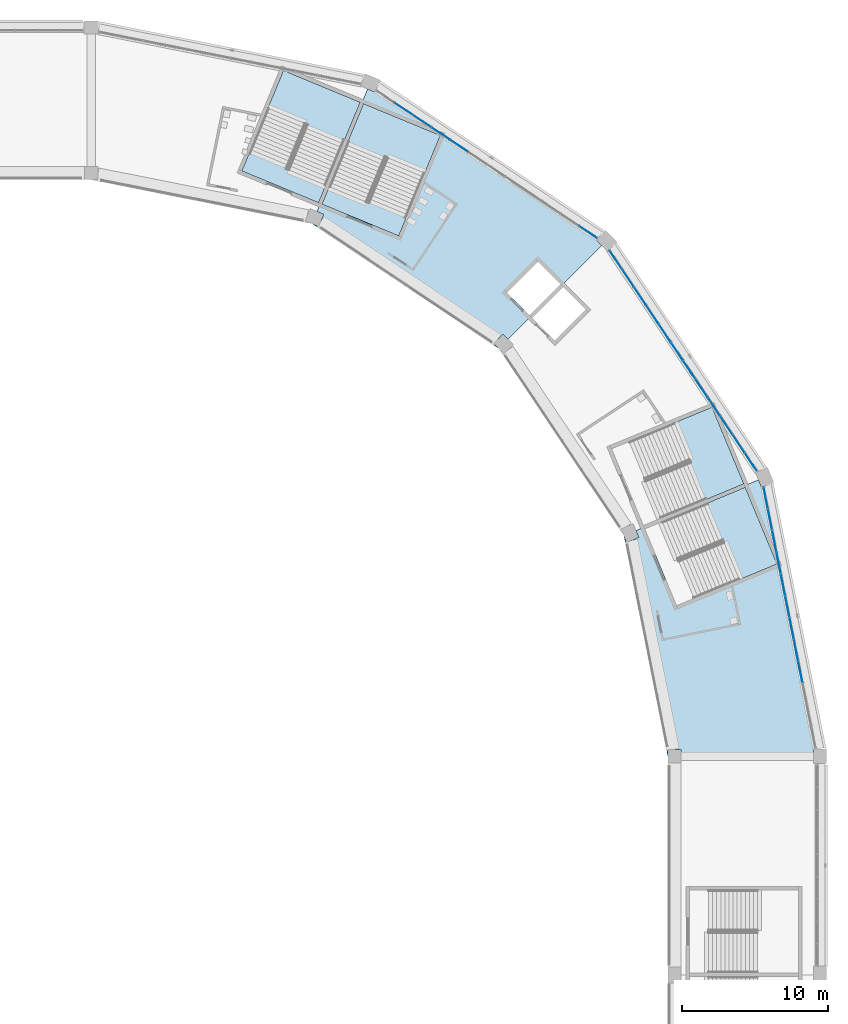
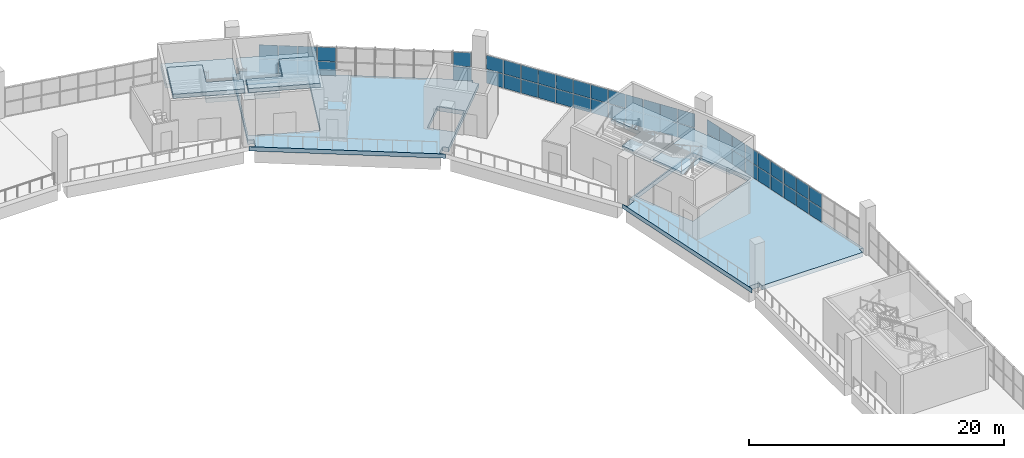
# One storey, part 58 of 177: 52 plates, 8 slabs, 7 elements without a shape of their own.
"""IFC4 building model written with IfcOpenShell, lengths in metres."""

from ifc_helpers import new_model, si_unit, direction, frame, origin, origin_2d, place, context, subcontext, project, spatial, polyline, rectangle, outline, extrude, material, layer, layer_set, type_object, element, aggregate, save


model = new_model("IFC4")

# Units and contexts
model_context = context("Model", 3, precision=1e-05, world=origin(), true_north=direction((0.0, 1.0)))
body_context = subcontext(model_context, "Body", "Model", "MODEL_VIEW")
ifc_project = project(units=[si_unit("LENGTHUNIT", "METRE"), si_unit("AREAUNIT", "SQUARE_METRE"), si_unit("VOLUMEUNIT", "CUBIC_METRE"), si_unit("PLANEANGLEUNIT", "RADIAN"), si_unit("MASSUNIT", "GRAM", prefix="KILO")], contexts=[model_context])

# Site, building, storey
site_placement = place(None, origin())
site = spatial("IfcSite", under=ifc_project, at=site_placement, CompositionType="ELEMENT")
building_placement = place(site_placement, origin())
building = spatial("IfcBuilding", under=site, at=building_placement, Name="Ogive Plaza Stadium", CompositionType="ELEMENT")
storey_placement = place(building_placement, frame((0.0, 0.0, 18.0)))
storey = spatial("IfcBuildingStorey", under=building, at=storey_placement, Name="L04", CompositionType="ELEMENT", Elevation=18.0)

# Curtain wall, plates
ifc_material_1 = material(Name="Bronze-anodised aluminium with laminated glass", Category="aluminium")
curtain_wall_type = type_object("IfcCurtainWallType", Name="Lancet curtain wall", PredefinedType="NOTDEFINED", material=ifc_material_1)
curtain_wall_1_placement = place(storey_placement, origin())
curtain_wall_1 = element("IfcCurtainWall", 1, at=curtain_wall_1_placement, inside=storey, type_object=curtain_wall_type, Name="CURTAIN WALL B38 L04", PredefinedType="NOTDEFINED")
ifc_material_2 = material(Name="Laminated glass", Category="glass")
ifc_layer_1 = layer(ifc_material_2, 0.028076171875)
ifc_layer_set_1 = layer_set([ifc_layer_1], Name="Laminated glass panel 28")
plate_type = type_object("IfcPlateType", Name="Laminated glass panel 28", PredefinedType="CURTAIN_PANEL", material=ifc_layer_set_1)
plate_1_placement = place(storey_placement, frame((55.4375, 96.914306640625, 0.0498046875), z_axis=(0.0, 0.0, 1.0), x_axis=(0.831469612303, -0.55557023302, 0.0)))
plate_1 = element("IfcPlate", 2, at=plate_1_placement, type_object=plate_type, Name="CW-B38-L04 panel 2.1", PredefinedType="CURTAIN_PANEL", context=body_context, shape_type="SweptSolid", body=[
    extrude(rectangle(XDim=1.472412109375, YDim=0.028076171875, at=origin_2d()), origin(), (0.0, 0.0, 1.0), 1.320068359375),
])
plate_2_placement = place(storey_placement, frame((55.4375, 96.914306640625, 1.419921875), z_axis=(0.0, 0.0, 1.0), x_axis=(0.831469612303, -0.55557023302, 0.0)))
plate_2 = element("IfcPlate", 3, at=plate_2_placement, type_object=plate_type, Name="CW-B38-L04 panel 2.2", PredefinedType="CURTAIN_PANEL", context=body_context, shape_type="SweptSolid", body=[
    extrude(rectangle(XDim=1.472412109375, YDim=0.028076171875, at=origin_2d()), origin(), (0.0, 0.0, 1.0), 1.320068359375),
])
plate_3_placement = place(storey_placement, frame((56.703369140625, 96.068603515625, 0.0498046875), z_axis=(0.0, 0.0, 1.0), x_axis=(0.831469612303, -0.55557023302, 0.0)))
plate_3 = element("IfcPlate", 4, at=plate_3_placement, type_object=plate_type, Name="CW-B38-L04 panel 3.1", PredefinedType="CURTAIN_PANEL", context=body_context, shape_type="SweptSolid", body=[
    extrude(rectangle(XDim=1.472412109375, YDim=0.028076171875, at=origin_2d()), origin(), (0.0, 0.0, 1.0), 1.320068359375),
])
plate_4_placement = place(storey_placement, frame((56.703369140625, 96.068603515625, 1.419921875), z_axis=(0.0, 0.0, 1.0), x_axis=(0.831469612303, -0.55557023302, 0.0)))
plate_4 = element("IfcPlate", 5, at=plate_4_placement, type_object=plate_type, Name="CW-B38-L04 panel 3.2", PredefinedType="CURTAIN_PANEL", context=body_context, shape_type="SweptSolid", body=[
    extrude(rectangle(XDim=1.472412109375, YDim=0.028076171875, at=origin_2d()), origin(), (0.0, 0.0, 1.0), 1.320068359375),
])
plate_5_placement = place(storey_placement, frame((57.96923828125, 95.222900390625, 0.0498046875), z_axis=(0.0, 0.0, 1.0), x_axis=(0.831469612303, -0.55557023302, 0.0)))
plate_5 = element("IfcPlate", 6, at=plate_5_placement, type_object=plate_type, Name="CW-B38-L04 panel 4.1", PredefinedType="CURTAIN_PANEL", context=body_context, shape_type="SweptSolid", body=[
    extrude(rectangle(XDim=1.472412109375, YDim=0.028076171875, at=origin_2d()), origin(), (0.0, 0.0, 1.0), 1.320068359375),
])
plate_6_placement = place(storey_placement, frame((57.96923828125, 95.222900390625, 1.419921875), z_axis=(0.0, 0.0, 1.0), x_axis=(0.831469612303, -0.55557023302, 0.0)))
plate_6 = element("IfcPlate", 7, at=plate_6_placement, type_object=plate_type, Name="CW-B38-L04 panel 4.2", PredefinedType="CURTAIN_PANEL", context=body_context, shape_type="SweptSolid", body=[
    extrude(rectangle(XDim=1.472412109375, YDim=0.028076171875, at=origin_2d()), origin(), (0.0, 0.0, 1.0), 1.320068359375),
])
plate_7_placement = place(storey_placement, frame((59.23486328125, 94.376953125, 0.0498046875), z_axis=(0.0, 0.0, 1.0), x_axis=(0.831469612303, -0.55557023302, 0.0)))
plate_7 = element("IfcPlate", 8, at=plate_7_placement, type_object=plate_type, Name="CW-B38-L04 panel 5.1", PredefinedType="CURTAIN_PANEL", context=body_context, shape_type="SweptSolid", body=[
    extrude(rectangle(XDim=1.472412109375, YDim=0.028076171875, at=origin_2d()), origin(), (0.0, 0.0, 1.0), 1.320068359375),
])
plate_8_placement = place(storey_placement, frame((59.23486328125, 94.376953125, 1.419921875), z_axis=(0.0, 0.0, 1.0), x_axis=(0.831469612303, -0.55557023302, 0.0)))
plate_8 = element("IfcPlate", 9, at=plate_8_placement, type_object=plate_type, Name="CW-B38-L04 panel 5.2", PredefinedType="CURTAIN_PANEL", context=body_context, shape_type="SweptSolid", body=[
    extrude(rectangle(XDim=1.472412109375, YDim=0.028076171875, at=origin_2d()), origin(), (0.0, 0.0, 1.0), 1.320068359375),
])
plate_9_placement = place(storey_placement, frame((68.0849609375, 88.463623046875, 0.0498046875), z_axis=(0.0, 0.0, 1.0), x_axis=(0.831469612303, -0.55557023302, 0.0)))
plate_9 = element("IfcPlate", 10, at=plate_9_placement, type_object=plate_type, Name="CW-B38-L04 panel 12.1", PredefinedType="CURTAIN_PANEL", context=body_context, shape_type="SweptSolid", body=[
    extrude(rectangle(XDim=1.447265625, YDim=0.028076171875, at=origin_2d()), origin(), (0.0, 0.0, 1.0), 1.320068359375),
])
plate_10_placement = place(storey_placement, frame((68.0849609375, 88.463623046875, 1.419921875), z_axis=(0.0, 0.0, 1.0), x_axis=(0.831469612303, -0.55557023302, 0.0)))
plate_10 = element("IfcPlate", 11, at=plate_10_placement, type_object=plate_type, Name="CW-B38-L04 panel 12.2", PredefinedType="CURTAIN_PANEL", context=body_context, shape_type="SweptSolid", body=[
    extrude(rectangle(XDim=1.447265625, YDim=0.028076171875, at=origin_2d()), origin(), (0.0, 0.0, 1.0), 1.320068359375),
])
aggregate(curtain_wall_1, [plate_1, plate_2, plate_3, plate_4, plate_5, plate_6, plate_7, plate_8, plate_9, plate_10])

curtain_wall_2_placement = place(storey_placement, origin())
curtain_wall_2 = element("IfcCurtainWall", 12, at=curtain_wall_2_placement, inside=storey, type_object=curtain_wall_type, Name="CURTAIN WALL B39 L04", PredefinedType="NOTDEFINED")
plate_11_placement = place(storey_placement, frame((69.963623046875, 86.5849609375, 0.0498046875), z_axis=(0.0, 0.0, 1.0), x_axis=(0.55557023302, -0.831469612303, 0.0)))
plate_11 = element("IfcPlate", 13, at=plate_11_placement, type_object=plate_type, Name="CW-B39-L04 panel 1.1", PredefinedType="CURTAIN_PANEL", context=body_context, shape_type="SweptSolid", body=[
    extrude(rectangle(XDim=1.447265625, YDim=0.028076171875, at=origin_2d()), origin(), (0.0, 0.0, 1.0), 1.320068359375),
])
plate_12_placement = place(storey_placement, frame((69.963623046875, 86.5849609375, 1.419921875), z_axis=(0.0, 0.0, 1.0), x_axis=(0.55557023302, -0.831469612303, 0.0)))
plate_12 = element("IfcPlate", 14, at=plate_12_placement, type_object=plate_type, Name="CW-B39-L04 panel 1.2", PredefinedType="CURTAIN_PANEL", context=body_context, shape_type="SweptSolid", body=[
    extrude(rectangle(XDim=1.447265625, YDim=0.028076171875, at=origin_2d()), origin(), (0.0, 0.0, 1.0), 1.320068359375),
])
plate_13_placement = place(storey_placement, frame((70.802490234375, 85.32958984375, 0.0498046875), z_axis=(0.0, 0.0, 1.0), x_axis=(0.55557023302, -0.831469612303, 0.0)))
plate_13 = element("IfcPlate", 15, at=plate_13_placement, type_object=plate_type, Name="CW-B39-L04 panel 2.1", PredefinedType="CURTAIN_PANEL", context=body_context, shape_type="SweptSolid", body=[
    extrude(rectangle(XDim=1.472412109375, YDim=0.028076171875, at=origin_2d()), origin(), (0.0, 0.0, 1.0), 1.320068359375),
])
plate_14_placement = place(storey_placement, frame((70.802490234375, 85.32958984375, 1.419921875), z_axis=(0.0, 0.0, 1.0), x_axis=(0.55557023302, -0.831469612303, 0.0)))
plate_14 = element("IfcPlate", 16, at=plate_14_placement, type_object=plate_type, Name="CW-B39-L04 panel 2.2", PredefinedType="CURTAIN_PANEL", context=body_context, shape_type="SweptSolid", body=[
    extrude(rectangle(XDim=1.472412109375, YDim=0.028076171875, at=origin_2d()), origin(), (0.0, 0.0, 1.0), 1.320068359375),
])
plate_15_placement = place(storey_placement, frame((71.648193359375, 84.06396484375, 0.0498046875), z_axis=(0.0, 0.0, 1.0), x_axis=(0.55557023302, -0.831469612303, 0.0)))
plate_15 = element("IfcPlate", 17, at=plate_15_placement, type_object=plate_type, Name="CW-B39-L04 panel 3.1", PredefinedType="CURTAIN_PANEL", context=body_context, shape_type="SweptSolid", body=[
    extrude(rectangle(XDim=1.472412109375, YDim=0.028076171875, at=origin_2d()), origin(), (0.0, 0.0, 1.0), 1.320068359375),
])
plate_16_placement = place(storey_placement, frame((71.648193359375, 84.06396484375, 1.419921875), z_axis=(0.0, 0.0, 1.0), x_axis=(0.55557023302, -0.831469612303, 0.0)))
plate_16 = element("IfcPlate", 18, at=plate_16_placement, type_object=plate_type, Name="CW-B39-L04 panel 3.2", PredefinedType="CURTAIN_PANEL", context=body_context, shape_type="SweptSolid", body=[
    extrude(rectangle(XDim=1.472412109375, YDim=0.028076171875, at=origin_2d()), origin(), (0.0, 0.0, 1.0), 1.320068359375),
])
plate_17_placement = place(storey_placement, frame((72.493896484375, 82.798095703125, 0.0498046875), z_axis=(0.0, 0.0, 1.0), x_axis=(0.55557023302, -0.831469612303, 0.0)))
plate_17 = element("IfcPlate", 19, at=plate_17_placement, type_object=plate_type, Name="CW-B39-L04 panel 4.1", PredefinedType="CURTAIN_PANEL", context=body_context, shape_type="SweptSolid", body=[
    extrude(rectangle(XDim=1.472412109375, YDim=0.028076171875, at=origin_2d()), origin(), (0.0, 0.0, 1.0), 1.320068359375),
])
plate_18_placement = place(storey_placement, frame((72.493896484375, 82.798095703125, 1.419921875), z_axis=(0.0, 0.0, 1.0), x_axis=(0.55557023302, -0.831469612303, 0.0)))
plate_18 = element("IfcPlate", 20, at=plate_18_placement, type_object=plate_type, Name="CW-B39-L04 panel 4.2", PredefinedType="CURTAIN_PANEL", context=body_context, shape_type="SweptSolid", body=[
    extrude(rectangle(XDim=1.472412109375, YDim=0.028076171875, at=origin_2d()), origin(), (0.0, 0.0, 1.0), 1.320068359375),
])
plate_19_placement = place(storey_placement, frame((73.339599609375, 81.5322265625, 0.0498046875), z_axis=(0.0, 0.0, 1.0), x_axis=(0.55557023302, -0.831469612303, 0.0)))
plate_19 = element("IfcPlate", 21, at=plate_19_placement, type_object=plate_type, Name="CW-B39-L04 panel 5.1", PredefinedType="CURTAIN_PANEL", context=body_context, shape_type="SweptSolid", body=[
    extrude(rectangle(XDim=1.472412109375, YDim=0.028076171875, at=origin_2d()), origin(), (0.0, 0.0, 1.0), 1.320068359375),
])
plate_20_placement = place(storey_placement, frame((73.339599609375, 81.5322265625, 1.419921875), z_axis=(0.0, 0.0, 1.0), x_axis=(0.55557023302, -0.831469612303, 0.0)))
plate_20 = element("IfcPlate", 22, at=plate_20_placement, type_object=plate_type, Name="CW-B39-L04 panel 5.2", PredefinedType="CURTAIN_PANEL", context=body_context, shape_type="SweptSolid", body=[
    extrude(rectangle(XDim=1.472412109375, YDim=0.028076171875, at=origin_2d()), origin(), (0.0, 0.0, 1.0), 1.320068359375),
])
plate_21_placement = place(storey_placement, frame((74.185546875, 80.2666015625, 0.0498046875), z_axis=(0.0, 0.0, 1.0), x_axis=(0.55557023302, -0.831469612303, 0.0)))
plate_21 = element("IfcPlate", 23, at=plate_21_placement, type_object=plate_type, Name="CW-B39-L04 panel 6.1", PredefinedType="CURTAIN_PANEL", context=body_context, shape_type="SweptSolid", body=[
    extrude(rectangle(XDim=1.472412109375, YDim=0.028076171875, at=origin_2d()), origin(), (0.0, 0.0, 1.0), 1.320068359375),
])
plate_22_placement = place(storey_placement, frame((74.185546875, 80.2666015625, 1.419921875), z_axis=(0.0, 0.0, 1.0), x_axis=(0.55557023302, -0.831469612303, 0.0)))
plate_22 = element("IfcPlate", 24, at=plate_22_placement, type_object=plate_type, Name="CW-B39-L04 panel 6.2", PredefinedType="CURTAIN_PANEL", context=body_context, shape_type="SweptSolid", body=[
    extrude(rectangle(XDim=1.472412109375, YDim=0.028076171875, at=origin_2d()), origin(), (0.0, 0.0, 1.0), 1.320068359375),
])
plate_23_placement = place(storey_placement, frame((75.03125, 79.000732421875, 0.0498046875), z_axis=(0.0, 0.0, 1.0), x_axis=(0.55557023302, -0.831469612303, 0.0)))
plate_23 = element("IfcPlate", 25, at=plate_23_placement, type_object=plate_type, Name="CW-B39-L04 panel 7.1", PredefinedType="CURTAIN_PANEL", context=body_context, shape_type="SweptSolid", body=[
    extrude(rectangle(XDim=1.472412109375, YDim=0.028076171875, at=origin_2d()), origin(), (0.0, 0.0, 1.0), 1.320068359375),
])
plate_24_placement = place(storey_placement, frame((75.03125, 79.000732421875, 1.419921875), z_axis=(0.0, 0.0, 1.0), x_axis=(0.55557023302, -0.831469612303, 0.0)))
plate_24 = element("IfcPlate", 26, at=plate_24_placement, type_object=plate_type, Name="CW-B39-L04 panel 7.2", PredefinedType="CURTAIN_PANEL", context=body_context, shape_type="SweptSolid", body=[
    extrude(rectangle(XDim=1.472412109375, YDim=0.028076171875, at=origin_2d()), origin(), (0.0, 0.0, 1.0), 1.320068359375),
])
plate_25_placement = place(storey_placement, frame((75.876953125, 77.73486328125, 0.0498046875), z_axis=(0.0, 0.0, 1.0), x_axis=(0.55557023302, -0.831469612303, 0.0)))
plate_25 = element("IfcPlate", 27, at=plate_25_placement, type_object=plate_type, Name="CW-B39-L04 panel 8.1", PredefinedType="CURTAIN_PANEL", context=body_context, shape_type="SweptSolid", body=[
    extrude(rectangle(XDim=1.472412109375, YDim=0.028076171875, at=origin_2d()), origin(), (0.0, 0.0, 1.0), 1.320068359375),
])
plate_26_placement = place(storey_placement, frame((75.876953125, 77.73486328125, 1.419921875), z_axis=(0.0, 0.0, 1.0), x_axis=(0.55557023302, -0.831469612303, 0.0)))
plate_26 = element("IfcPlate", 28, at=plate_26_placement, type_object=plate_type, Name="CW-B39-L04 panel 8.2", PredefinedType="CURTAIN_PANEL", context=body_context, shape_type="SweptSolid", body=[
    extrude(rectangle(XDim=1.472412109375, YDim=0.028076171875, at=origin_2d()), origin(), (0.0, 0.0, 1.0), 1.320068359375),
])
plate_27_placement = place(storey_placement, frame((76.722900390625, 76.46923828125, 0.0498046875), z_axis=(0.0, 0.0, 1.0), x_axis=(0.55557023302, -0.831469612303, 0.0)))
plate_27 = element("IfcPlate", 29, at=plate_27_placement, type_object=plate_type, Name="CW-B39-L04 panel 9.1", PredefinedType="CURTAIN_PANEL", context=body_context, shape_type="SweptSolid", body=[
    extrude(rectangle(XDim=1.472412109375, YDim=0.028076171875, at=origin_2d()), origin(), (0.0, 0.0, 1.0), 1.320068359375),
])
plate_28_placement = place(storey_placement, frame((76.722900390625, 76.46923828125, 1.419921875), z_axis=(0.0, 0.0, 1.0), x_axis=(0.55557023302, -0.831469612303, 0.0)))
plate_28 = element("IfcPlate", 30, at=plate_28_placement, type_object=plate_type, Name="CW-B39-L04 panel 9.2", PredefinedType="CURTAIN_PANEL", context=body_context, shape_type="SweptSolid", body=[
    extrude(rectangle(XDim=1.472412109375, YDim=0.028076171875, at=origin_2d()), origin(), (0.0, 0.0, 1.0), 1.320068359375),
])
plate_29_placement = place(storey_placement, frame((77.568603515625, 75.203369140625, 0.0498046875), z_axis=(0.0, 0.0, 1.0), x_axis=(0.55557023302, -0.831469612303, 0.0)))
plate_29 = element("IfcPlate", 31, at=plate_29_placement, type_object=plate_type, Name="CW-B39-L04 panel 10.1", PredefinedType="CURTAIN_PANEL", context=body_context, shape_type="SweptSolid", body=[
    extrude(rectangle(XDim=1.472412109375, YDim=0.028076171875, at=origin_2d()), origin(), (0.0, 0.0, 1.0), 1.320068359375),
])
plate_30_placement = place(storey_placement, frame((77.568603515625, 75.203369140625, 1.419921875), z_axis=(0.0, 0.0, 1.0), x_axis=(0.55557023302, -0.831469612303, 0.0)))
plate_30 = element("IfcPlate", 32, at=plate_30_placement, type_object=plate_type, Name="CW-B39-L04 panel 10.2", PredefinedType="CURTAIN_PANEL", context=body_context, shape_type="SweptSolid", body=[
    extrude(rectangle(XDim=1.472412109375, YDim=0.028076171875, at=origin_2d()), origin(), (0.0, 0.0, 1.0), 1.320068359375),
])
plate_31_placement = place(storey_placement, frame((78.414306640625, 73.9375, 0.0498046875), z_axis=(0.0, 0.0, 1.0), x_axis=(0.55557023302, -0.831469612303, 0.0)))
plate_31 = element("IfcPlate", 33, at=plate_31_placement, type_object=plate_type, Name="CW-B39-L04 panel 11.1", PredefinedType="CURTAIN_PANEL", context=body_context, shape_type="SweptSolid", body=[
    extrude(rectangle(XDim=1.472412109375, YDim=0.028076171875, at=origin_2d()), origin(), (0.0, 0.0, 1.0), 1.320068359375),
])
plate_32_placement = place(storey_placement, frame((78.414306640625, 73.9375, 1.419921875), z_axis=(0.0, 0.0, 1.0), x_axis=(0.55557023302, -0.831469612303, 0.0)))
plate_32 = element("IfcPlate", 34, at=plate_32_placement, type_object=plate_type, Name="CW-B39-L04 panel 11.2", PredefinedType="CURTAIN_PANEL", context=body_context, shape_type="SweptSolid", body=[
    extrude(rectangle(XDim=1.472412109375, YDim=0.028076171875, at=origin_2d()), origin(), (0.0, 0.0, 1.0), 1.320068359375),
])
plate_33_placement = place(storey_placement, frame((79.253173828125, 72.68212890625, 0.0498046875), z_axis=(0.0, 0.0, 1.0), x_axis=(0.55557023302, -0.831469612303, 0.0)))
plate_33 = element("IfcPlate", 35, at=plate_33_placement, type_object=plate_type, Name="CW-B39-L04 panel 12.1", PredefinedType="CURTAIN_PANEL", context=body_context, shape_type="SweptSolid", body=[
    extrude(rectangle(XDim=1.447265625, YDim=0.028076171875, at=origin_2d()), origin(), (0.0, 0.0, 1.0), 1.320068359375),
])
plate_34_placement = place(storey_placement, frame((79.253173828125, 72.68212890625, 1.419921875), z_axis=(0.0, 0.0, 1.0), x_axis=(0.55557023302, -0.831469612303, 0.0)))
plate_34 = element("IfcPlate", 36, at=plate_34_placement, type_object=plate_type, Name="CW-B39-L04 panel 12.2", PredefinedType="CURTAIN_PANEL", context=body_context, shape_type="SweptSolid", body=[
    extrude(rectangle(XDim=1.447265625, YDim=0.028076171875, at=origin_2d()), origin(), (0.0, 0.0, 1.0), 1.320068359375),
])
aggregate(curtain_wall_2, [plate_11, plate_12, plate_13, plate_14, plate_15, plate_16, plate_17, plate_18, plate_19, plate_20, plate_21, plate_22, plate_23, plate_24, plate_25, plate_26, plate_27, plate_28, plate_29, plate_30, plate_31, plate_32, plate_33, plate_34])

curtain_wall_3_placement = place(storey_placement, origin())
curtain_wall_3 = element("IfcCurtainWall", 37, at=curtain_wall_3_placement, inside=storey, type_object=curtain_wall_type, Name="CURTAIN WALL B40 L04", PredefinedType="NOTDEFINED")
plate_35_placement = place(storey_placement, frame((80.269775390625, 70.227783203125, 0.0498046875), z_axis=(0.0, 0.0, 1.0), x_axis=(0.195090322033, -0.9807852804, 0.0)))
plate_35 = element("IfcPlate", 38, at=plate_35_placement, type_object=plate_type, Name="CW-B40-L04 panel 1.1", PredefinedType="CURTAIN_PANEL", context=body_context, shape_type="SweptSolid", body=[
    extrude(rectangle(XDim=1.447265625, YDim=0.028076171875, at=origin_2d()), origin(), (0.0, 0.0, 1.0), 1.320068359375),
])
plate_36_placement = place(storey_placement, frame((80.269775390625, 70.227783203125, 1.419921875), z_axis=(0.0, 0.0, 1.0), x_axis=(0.195090322033, -0.9807852804, 0.0)))
plate_36 = element("IfcPlate", 39, at=plate_36_placement, type_object=plate_type, Name="CW-B40-L04 panel 1.2", PredefinedType="CURTAIN_PANEL", context=body_context, shape_type="SweptSolid", body=[
    extrude(rectangle(XDim=1.447265625, YDim=0.028076171875, at=origin_2d()), origin(), (0.0, 0.0, 1.0), 1.320068359375),
])
plate_37_placement = place(storey_placement, frame((80.564453125, 68.7470703125, 0.0498046875), z_axis=(0.0, 0.0, 1.0), x_axis=(0.195090322033, -0.9807852804, 0.0)))
plate_37 = element("IfcPlate", 40, at=plate_37_placement, type_object=plate_type, Name="CW-B40-L04 panel 2.1", PredefinedType="CURTAIN_PANEL", context=body_context, shape_type="SweptSolid", body=[
    extrude(rectangle(XDim=1.472412109375, YDim=0.028076171875, at=origin_2d()), origin(), (0.0, 0.0, 1.0), 1.320068359375),
])
plate_38_placement = place(storey_placement, frame((80.564453125, 68.7470703125, 1.419921875), z_axis=(0.0, 0.0, 1.0), x_axis=(0.195090322033, -0.9807852804, 0.0)))
plate_38 = element("IfcPlate", 41, at=plate_38_placement, type_object=plate_type, Name="CW-B40-L04 panel 2.2", PredefinedType="CURTAIN_PANEL", context=body_context, shape_type="SweptSolid", body=[
    extrude(rectangle(XDim=1.472412109375, YDim=0.028076171875, at=origin_2d()), origin(), (0.0, 0.0, 1.0), 1.320068359375),
])
plate_39_placement = place(storey_placement, frame((80.861328125, 67.25390625, 0.0498046875), z_axis=(0.0, 0.0, 1.0), x_axis=(0.195090322033, -0.9807852804, 0.0)))
plate_39 = element("IfcPlate", 42, at=plate_39_placement, type_object=plate_type, Name="CW-B40-L04 panel 3.1", PredefinedType="CURTAIN_PANEL", context=body_context, shape_type="SweptSolid", body=[
    extrude(rectangle(XDim=1.472412109375, YDim=0.028076171875, at=origin_2d()), origin(), (0.0, 0.0, 1.0), 1.320068359375),
])
plate_40_placement = place(storey_placement, frame((80.861328125, 67.25390625, 1.419921875), z_axis=(0.0, 0.0, 1.0), x_axis=(0.195090322033, -0.9807852804, 0.0)))
plate_40 = element("IfcPlate", 43, at=plate_40_placement, type_object=plate_type, Name="CW-B40-L04 panel 3.2", PredefinedType="CURTAIN_PANEL", context=body_context, shape_type="SweptSolid", body=[
    extrude(rectangle(XDim=1.472412109375, YDim=0.028076171875, at=origin_2d()), origin(), (0.0, 0.0, 1.0), 1.320068359375),
])
plate_41_placement = place(storey_placement, frame((81.158447265625, 65.7607421875, 0.0498046875), z_axis=(0.0, 0.0, 1.0), x_axis=(0.195090322033, -0.9807852804, 0.0)))
plate_41 = element("IfcPlate", 44, at=plate_41_placement, type_object=plate_type, Name="CW-B40-L04 panel 4.1", PredefinedType="CURTAIN_PANEL", context=body_context, shape_type="SweptSolid", body=[
    extrude(rectangle(XDim=1.472412109375, YDim=0.028076171875, at=origin_2d()), origin(), (0.0, 0.0, 1.0), 1.320068359375),
])
plate_42_placement = place(storey_placement, frame((81.158447265625, 65.7607421875, 1.419921875), z_axis=(0.0, 0.0, 1.0), x_axis=(0.195090322033, -0.9807852804, 0.0)))
plate_42 = element("IfcPlate", 45, at=plate_42_placement, type_object=plate_type, Name="CW-B40-L04 panel 4.2", PredefinedType="CURTAIN_PANEL", context=body_context, shape_type="SweptSolid", body=[
    extrude(rectangle(XDim=1.472412109375, YDim=0.028076171875, at=origin_2d()), origin(), (0.0, 0.0, 1.0), 1.320068359375),
])
plate_43_placement = place(storey_placement, frame((81.455322265625, 64.267822265625, 0.0498046875), z_axis=(0.0, 0.0, 1.0), x_axis=(0.195090322033, -0.9807852804, 0.0)))
plate_43 = element("IfcPlate", 46, at=plate_43_placement, type_object=plate_type, Name="CW-B40-L04 panel 5.1", PredefinedType="CURTAIN_PANEL", context=body_context, shape_type="SweptSolid", body=[
    extrude(rectangle(XDim=1.472412109375, YDim=0.028076171875, at=origin_2d()), origin(), (0.0, 0.0, 1.0), 1.320068359375),
])
plate_44_placement = place(storey_placement, frame((81.455322265625, 64.267822265625, 1.419921875), z_axis=(0.0, 0.0, 1.0), x_axis=(0.195090322033, -0.9807852804, 0.0)))
plate_44 = element("IfcPlate", 47, at=plate_44_placement, type_object=plate_type, Name="CW-B40-L04 panel 5.2", PredefinedType="CURTAIN_PANEL", context=body_context, shape_type="SweptSolid", body=[
    extrude(rectangle(XDim=1.472412109375, YDim=0.028076171875, at=origin_2d()), origin(), (0.0, 0.0, 1.0), 1.320068359375),
])
plate_45_placement = place(storey_placement, frame((81.75244140625, 62.774658203125, 0.0498046875), z_axis=(0.0, 0.0, 1.0), x_axis=(0.195090322033, -0.9807852804, 0.0)))
plate_45 = element("IfcPlate", 48, at=plate_45_placement, type_object=plate_type, Name="CW-B40-L04 panel 6.1", PredefinedType="CURTAIN_PANEL", context=body_context, shape_type="SweptSolid", body=[
    extrude(rectangle(XDim=1.472412109375, YDim=0.028076171875, at=origin_2d()), origin(), (0.0, 0.0, 1.0), 1.320068359375),
])
plate_46_placement = place(storey_placement, frame((81.75244140625, 62.774658203125, 1.419921875), z_axis=(0.0, 0.0, 1.0), x_axis=(0.195090322033, -0.9807852804, 0.0)))
plate_46 = element("IfcPlate", 49, at=plate_46_placement, type_object=plate_type, Name="CW-B40-L04 panel 6.2", PredefinedType="CURTAIN_PANEL", context=body_context, shape_type="SweptSolid", body=[
    extrude(rectangle(XDim=1.472412109375, YDim=0.028076171875, at=origin_2d()), origin(), (0.0, 0.0, 1.0), 1.320068359375),
])
plate_47_placement = place(storey_placement, frame((82.04931640625, 61.281494140625, 0.0498046875), z_axis=(0.0, 0.0, 1.0), x_axis=(0.195090322033, -0.9807852804, 0.0)))
plate_47 = element("IfcPlate", 50, at=plate_47_placement, type_object=plate_type, Name="CW-B40-L04 panel 7.1", PredefinedType="CURTAIN_PANEL", context=body_context, shape_type="SweptSolid", body=[
    extrude(rectangle(XDim=1.472412109375, YDim=0.028076171875, at=origin_2d()), origin(), (0.0, 0.0, 1.0), 1.320068359375),
])
plate_48_placement = place(storey_placement, frame((82.04931640625, 61.281494140625, 1.419921875), z_axis=(0.0, 0.0, 1.0), x_axis=(0.195090322033, -0.9807852804, 0.0)))
plate_48 = element("IfcPlate", 51, at=plate_48_placement, type_object=plate_type, Name="CW-B40-L04 panel 7.2", PredefinedType="CURTAIN_PANEL", context=body_context, shape_type="SweptSolid", body=[
    extrude(rectangle(XDim=1.472412109375, YDim=0.028076171875, at=origin_2d()), origin(), (0.0, 0.0, 1.0), 1.320068359375),
])
plate_49_placement = place(storey_placement, frame((82.346435546875, 59.788330078125, 0.0498046875), z_axis=(0.0, 0.0, 1.0), x_axis=(0.195090322033, -0.9807852804, 0.0)))
plate_49 = element("IfcPlate", 52, at=plate_49_placement, type_object=plate_type, Name="CW-B40-L04 panel 8.1", PredefinedType="CURTAIN_PANEL", context=body_context, shape_type="SweptSolid", body=[
    extrude(rectangle(XDim=1.472412109375, YDim=0.028076171875, at=origin_2d()), origin(), (0.0, 0.0, 1.0), 1.320068359375),
])
plate_50_placement = place(storey_placement, frame((82.346435546875, 59.788330078125, 1.419921875), z_axis=(0.0, 0.0, 1.0), x_axis=(0.195090322033, -0.9807852804, 0.0)))
plate_50 = element("IfcPlate", 53, at=plate_50_placement, type_object=plate_type, Name="CW-B40-L04 panel 8.2", PredefinedType="CURTAIN_PANEL", context=body_context, shape_type="SweptSolid", body=[
    extrude(rectangle(XDim=1.472412109375, YDim=0.028076171875, at=origin_2d()), origin(), (0.0, 0.0, 1.0), 1.320068359375),
])
plate_51_placement = place(storey_placement, frame((82.643310546875, 58.29541015625, 0.0498046875), z_axis=(0.0, 0.0, 1.0), x_axis=(0.195090322033, -0.9807852804, 0.0)))
plate_51 = element("IfcPlate", 54, at=plate_51_placement, type_object=plate_type, Name="CW-B40-L04 panel 9.1", PredefinedType="CURTAIN_PANEL", context=body_context, shape_type="SweptSolid", body=[
    extrude(rectangle(XDim=1.472412109375, YDim=0.028076171875, at=origin_2d()), origin(), (0.0, 0.0, 1.0), 1.320068359375),
])
plate_52_placement = place(storey_placement, frame((82.643310546875, 58.29541015625, 1.419921875), z_axis=(0.0, 0.0, 1.0), x_axis=(0.195090322033, -0.9807852804, 0.0)))
plate_52 = element("IfcPlate", 55, at=plate_52_placement, type_object=plate_type, Name="CW-B40-L04 panel 9.2", PredefinedType="CURTAIN_PANEL", context=body_context, shape_type="SweptSolid", body=[
    extrude(rectangle(XDim=1.472412109375, YDim=0.028076171875, at=origin_2d()), origin(), (0.0, 0.0, 1.0), 1.320068359375),
])
aggregate(curtain_wall_3, [plate_35, plate_36, plate_37, plate_38, plate_39, plate_40, plate_41, plate_42, plate_43, plate_44, plate_45, plate_46, plate_47, plate_48, plate_49, plate_50, plate_51, plate_52])

# Slabs
ifc_material_3 = material(Name="Concrete C40/50", Category="concrete")
ifc_layer_2 = layer(ifc_material_3, 0.409912109375)
ifc_layer_set_2 = layer_set([ifc_layer_2], Name="Concrete C40/50")
slab_type_1 = type_object("IfcSlabType", Name="RC floor slab 410", PredefinedType="FLOOR", material=ifc_layer_set_2)
slab_1_placement = place(storey_placement, frame((0.0, 0.0, -0.409912109375)))
element("IfcSlab", 56, at=slab_1_placement, inside=storey, type_object=slab_type_1, Name="Floor slab L04 B38", PredefinedType="FLOOR", context=body_context, shape_type="SweptSolid", body=[
    extrude(outline(polyline([(69.037109375, 87.537109375), (68.648193359375, 87.926025390625), (68.88916015625, 88.1669921875), (53.600341796875, 98.38232421875), (53.47021484375, 98.06787109375), (52.9619140625, 98.2783203125), (49.4794921875, 89.870849609375), (49.94140625, 89.6796875), (49.59716796875, 88.84814453125), (49.135009765625, 89.03955078125), (61.966064453125, 80.466064453125), (61.612548828125, 80.819580078125), (62.2490234375, 81.4560546875), (62.6025390625, 81.1025390625), (69.037109375, 87.537109375)]), holes=[polyline([(49.82470703125, 90.37744140625), (55.0908203125, 88.196044921875), (57.945556640625, 95.08837890625), (52.679443359375, 97.26953125), (49.82470703125, 90.37744140625)]), polyline([(62.51416015625, 84.30224609375), (64.06982421875, 82.74658203125), (66.19091796875, 84.867919921875), (64.635498046875, 86.42333984375), (62.51416015625, 84.30224609375)])]), origin(), (0.0, 0.0, 1.0), 0.409912109375),
])
slab_2_placement = place(storey_placement, frame((0.0, 0.0, -0.409912109375)))
element("IfcSlab", 57, at=slab_2_placement, inside=storey, type_object=slab_type_1, Name="Floor slab L04 B40", PredefinedType="FLOOR", context=body_context, shape_type="SweptSolid", body=[
    extrude(outline(polyline([(83.550048828125, 52.5), (83.550048828125, 53.0), (83.900634765625, 53.0), (80.303466796875, 71.084228515625), (79.98876953125, 70.953857421875), (79.7783203125, 71.4619140625), (71.370849609375, 67.9794921875), (71.562255859375, 67.517578125), (70.730712890625, 67.173095703125), (70.53955078125, 67.635009765625), (73.550048828125, 52.5), (73.550048828125, 52.949951171875), (74.449951171875, 52.949951171875), (74.449951171875, 52.5), (83.550048828125, 52.5)]), holes=[polyline([(71.97314453125, 68.09375), (74.154296875, 62.82763671875), (81.046630859375, 65.682373046875), (78.865234375, 70.948486328125), (71.97314453125, 68.09375)])]), origin(), (0.0, 0.0, 1.0), 0.409912109375),
])

# Stair, slabs
ifc_material_4 = material(Name="Concrete C40/50", Category="concrete")
stair_type = type_object("IfcStairType", Name="Exit stair", PredefinedType="STRAIGHT_RUN_STAIR", material=ifc_material_4)
stair_1_placement = place(storey_placement, origin())
stair_1 = element("IfcStair", 58, at=stair_1_placement, inside=storey, type_object=stair_type, Name="Exit stair ST38A L04 to L05", PredefinedType="STRAIGHT_RUN_STAIR")
ifc_material_5 = material(Name="Concrete C40/50", Category="concrete")
ifc_layer_3 = layer(ifc_material_5, 0.39990234375)
ifc_layer_set_3 = layer_set([ifc_layer_3], Name="Concrete C40/50")
slab_type_2 = type_object("IfcSlabType", Name="Stair landing", PredefinedType="LANDING", material=ifc_layer_set_3)
slab_3_placement = place(storey_placement, frame((0.0, 0.0, 1.85009765625)))
slab_3 = element("IfcSlab", 59, at=slab_3_placement, type_object=slab_type_2, Name="ST38A landing 1", PredefinedType="LANDING", context=body_context, shape_type="SweptSolid", body=[
    extrude(outline(polyline([(52.679443359375, 97.26953125), (57.945556640625, 95.08837890625), (56.8740234375, 92.50146484375), (54.19482421875, 93.611083984375), (53.2763671875, 91.393798828125), (50.689453125, 92.46533203125), (51.60791015625, 94.6826171875), (52.679443359375, 97.26953125)])), origin(), (0.0, 0.0, 1.0), 0.39990234375),
])
slab_4_placement = place(storey_placement, frame((0.0, 0.0, 4.10009765625)))
slab_4 = element("IfcSlab", 60, at=slab_4_placement, type_object=slab_type_2, Name="ST38A landing 2", PredefinedType="LANDING", context=body_context, shape_type="SweptSolid", body=[
    extrude(outline(polyline([(53.919921875, 92.68603515625), (56.506591796875, 91.614501953125), (55.588134765625, 89.397216796875), (55.0908203125, 88.196044921875), (49.82470703125, 90.37744140625), (50.322021484375, 91.578369140625), (53.00146484375, 90.46875), (53.919921875, 92.68603515625)])), origin(), (0.0, 0.0, 1.0), 0.39990234375),
])
aggregate(stair_1, [slab_3, slab_4])

stair_2_placement = place(storey_placement, origin())
stair_2 = element("IfcStair", 61, at=stair_2_placement, inside=storey, type_object=stair_type, Name="Exit stair ST38B L04 to L05", PredefinedType="STRAIGHT_RUN_STAIR")
slab_5_placement = place(storey_placement, frame((0.0, 0.0, 1.85009765625)))
slab_5 = element("IfcSlab", 62, at=slab_5_placement, type_object=slab_type_2, Name="ST38B landing 1", PredefinedType="LANDING", context=body_context, shape_type="SweptSolid", body=[
    extrude(outline(polyline([(50.45849609375, 92.56103515625), (47.87158203125, 93.632568359375), (48.7900390625, 95.849853515625), (46.11083984375, 96.959716796875), (47.182373046875, 99.546630859375), (52.448486328125, 97.365234375), (51.376953125, 94.7783203125), (50.45849609375, 92.56103515625)])), origin(), (0.0, 0.0, 1.0), 0.39990234375),
])
slab_6_placement = place(storey_placement, frame((0.0, 0.0, 4.10009765625)))
slab_6 = element("IfcSlab", 63, at=slab_6_placement, type_object=slab_type_2, Name="ST38B landing 2", PredefinedType="LANDING", context=body_context, shape_type="SweptSolid", body=[
    extrude(outline(polyline([(50.091064453125, 91.674072265625), (49.59375, 90.47314453125), (44.32763671875, 92.654296875), (44.824951171875, 93.85546875), (45.743408203125, 96.07275390625), (48.330322265625, 95.001220703125), (47.411865234375, 92.783935546875), (50.091064453125, 91.674072265625)])), origin(), (0.0, 0.0, 1.0), 0.39990234375),
])
aggregate(stair_2, [slab_5, slab_6])

# Stair, slab
stair_3_placement = place(storey_placement, origin())
stair_3 = element("IfcStair", 64, at=stair_3_placement, inside=storey, type_object=stair_type, Name="Exit stair ST40A L04 to L05", PredefinedType="STRAIGHT_RUN_STAIR")
slab_7_placement = place(storey_placement, frame((0.0, 0.0, 1.85009765625)))
slab_7 = element("IfcSlab", 65, at=slab_7_placement, type_object=slab_type_2, Name="ST40A landing 1", PredefinedType="LANDING", context=body_context, shape_type="SweptSolid", body=[
    extrude(outline(polyline([(78.865234375, 70.948486328125), (81.046630859375, 65.682373046875), (78.459716796875, 64.61083984375), (77.349853515625, 67.2900390625), (75.132568359375, 66.37158203125), (74.06103515625, 68.95849609375), (76.2783203125, 69.876953125), (78.865234375, 70.948486328125)])), origin(), (0.0, 0.0, 1.0), 0.39990234375),
])
aggregate(stair_3, [slab_7])

stair_4_placement = place(storey_placement, origin())
stair_4 = element("IfcStair", 66, at=stair_4_placement, inside=storey, type_object=stair_type, Name="Exit stair ST40B L04 to L05", PredefinedType="STRAIGHT_RUN_STAIR")
slab_8_placement = place(storey_placement, frame((0.0, 0.0, 1.85009765625)))
slab_8 = element("IfcSlab", 67, at=slab_8_placement, type_object=slab_type_2, Name="ST40B landing 1", PredefinedType="LANDING", context=body_context, shape_type="SweptSolid", body=[
    extrude(outline(polyline([(73.96533203125, 69.189453125), (72.893798828125, 71.7763671875), (75.111083984375, 72.69482421875), (74.00146484375, 75.3740234375), (76.58837890625, 76.445556640625), (78.76953125, 71.179443359375), (76.1826171875, 70.10791015625), (73.96533203125, 69.189453125)])), origin(), (0.0, 0.0, 1.0), 0.39990234375),
])
aggregate(stair_4, [slab_8])

save(model, "model.ifc")
